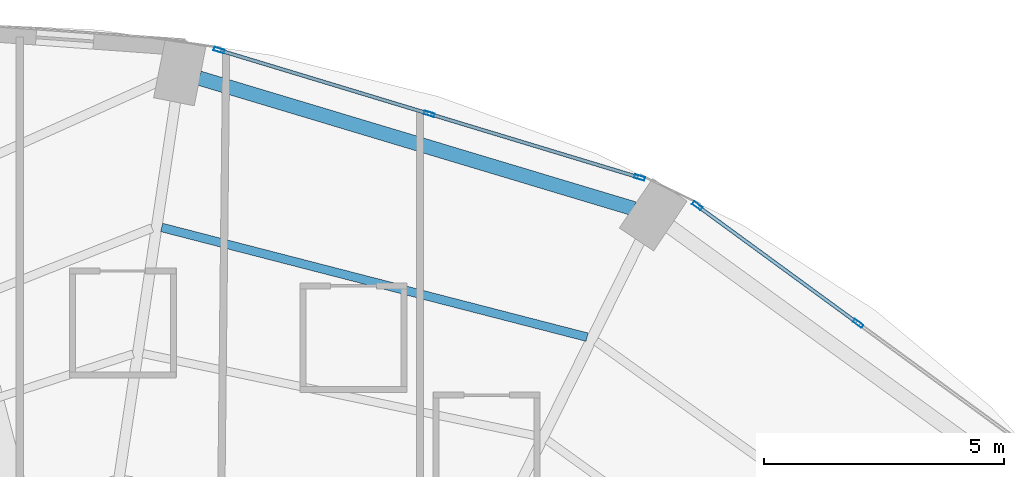
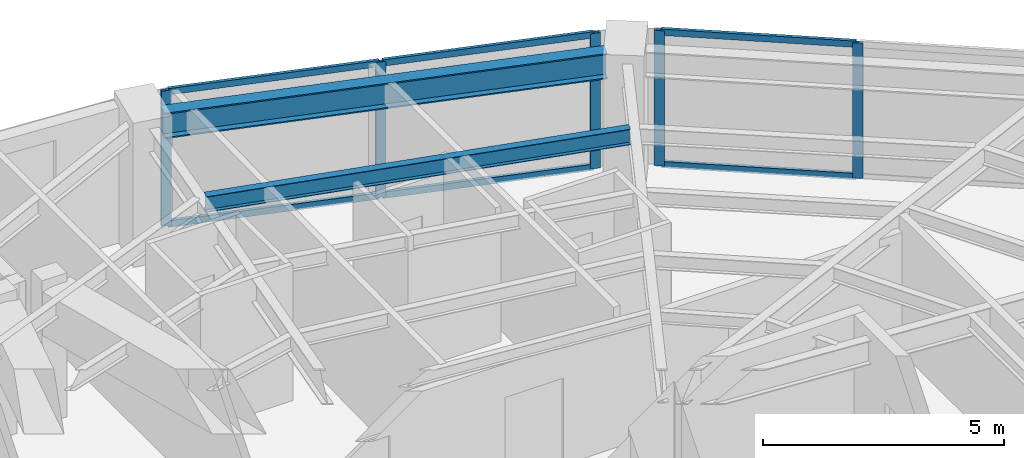
# One storey, part 17 of 25: 11 members, 2 beams, 2 elements without a shape of their own.
"""IFC4 building model written with IfcOpenShell, lengths in metres."""

from ifc_helpers import new_model, si_unit, direction, frame, origin, origin_2d, place, context, subcontext, project, spatial, hollow_rectangle, i_section, extrude, material, layer, layer_set, material_profile, profile_set, type_object, element, aggregate, save


model = new_model("IFC4")

# Units and contexts
model_context = context("Model", 3, precision=1e-05, world=origin(), true_north=direction((0.0, 1.0)))
body_context = subcontext(model_context, "Body", "Model", "MODEL_VIEW")
ifc_project = project(units=[si_unit("LENGTHUNIT", "METRE"), si_unit("AREAUNIT", "SQUARE_METRE"), si_unit("VOLUMEUNIT", "CUBIC_METRE"), si_unit("PLANEANGLEUNIT", "RADIAN"), si_unit("MASSUNIT", "GRAM", prefix="KILO")], contexts=[model_context])

# Site, building, storey
site_placement = place(None, origin())
site = spatial("IfcSite", under=ifc_project, at=site_placement, CompositionType="ELEMENT")
building_placement = place(site_placement, origin())
building = spatial("IfcBuilding", under=site, at=building_placement, Name="Lazwardi Medical Tower", CompositionType="ELEMENT")
storey_placement = place(building_placement, frame((0.0, 0.0, 32.49609375)))
storey = spatial("IfcBuildingStorey", under=building, at=storey_placement, Name="L07", CompositionType="ELEMENT", Elevation=32.49609375)

# Beams
ifc_material_1 = material(Name="Steel S355", Category="steel")
ifc_material_profile_1 = material_profile(ifc_material_1, i_section(OverallWidth=0.300048828125, OverallDepth=0.64990234375, WebThickness=0.01611328125, FlangeThickness=0.031005859375, at=origin_2d()), Name="HEB 650")
ifc_profile_set_1 = profile_set([ifc_material_profile_1], Name="Steel S355")
beam_type_1 = type_object("IfcBeamType", Name="BM-RB-Z1", PredefinedType="BEAM", material=ifc_profile_set_1)
beam_1_placement = place(storey_placement, frame((50.77880859375, 47.0048828125, 3.10302734375), z_axis=(-0.957695289269, 0.287784177662, 0.0), x_axis=(-0.287784177662, -0.957695289269, 0.0)))
element("IfcBeam", 1, at=beam_1_placement, inside=storey, type_object=beam_type_1, Name="Ring beam RB-02 B07 L07", PredefinedType="BEAM", context=body_context, shape_type="SweptSolid", body=[
    extrude(i_section(OverallWidth=0.300048828125, OverallDepth=0.64990234375, WebThickness=0.01611328125, FlangeThickness=0.031005859375, at=origin_2d()), origin(), (0.0, 0.0, 1.0), 9.445556640625),
])
ifc_material_profile_2 = material_profile(ifc_material_1, i_section(OverallWidth=0.179931640625, OverallDepth=0.39990234375, WebThickness=0.008544921875, FlangeThickness=0.013427734375, at=origin_2d()), Name="IPE 400")
ifc_profile_set_2 = profile_set([ifc_material_profile_2], Name="Steel S355")
beam_type_2 = type_object("IfcBeamType", Name="BM-SJ-01", PredefinedType="JOIST", material=ifc_profile_set_2)
beam_2_placement = place(storey_placement, frame((49.804931640625, 44.333251953125, 3.22802734375), z_axis=(-0.968316918308, 0.249724539682, 0.0), x_axis=(-0.249724539682, -0.968316918308, 0.0)))
element("IfcBeam", 2, at=beam_2_placement, inside=storey, type_object=beam_type_2, Name="Secondary joist SJ-01 R1 B07 L07", PredefinedType="JOIST", context=body_context, shape_type="SweptSolid", body=[
    extrude(i_section(OverallWidth=0.179931640625, OverallDepth=0.39990234375, WebThickness=0.008544921875, FlangeThickness=0.013427734375, at=origin_2d()), origin(), (0.0, 0.0, 1.0), 9.140869140625),
])

# Curtain wall, members
ifc_material_2 = material(Name="Anodised bronze aluminium and solar control glazing", Category="aluminium")
ifc_layer = layer(ifc_material_2, 0.199951171875)
ifc_layer_set = layer_set([ifc_layer], Name="Anodised bronze aluminium and solar control glazing")
curtain_wall_type = type_object("IfcCurtainWallType", Name="CW-SYS-02", PredefinedType="NOTDEFINED", material=ifc_layer_set)
curtain_wall_1_placement = place(storey_placement, origin())
curtain_wall_1 = element("IfcCurtainWall", 3, at=curtain_wall_1_placement, inside=storey, type_object=curtain_wall_type, Name="L07 Unitised bronze curtain wall CW-02", PredefinedType="NOTDEFINED")
ifc_material_3 = material(Name="Anodised bronze aluminium", Category="aluminium")
ifc_material_profile_3 = material_profile(ifc_material_3, hollow_rectangle(XDim=0.074951171875, YDim=0.219970703125, WallThickness=0.00390625, at=origin_2d()), Name="ALU-MULLION 220x75x4")
ifc_profile_set_3 = profile_set([ifc_material_profile_3], Name="Anodised bronze aluminium")
member_type_1 = type_object("IfcMemberType", Name="CW-MUL-01", PredefinedType="MULLION", material=ifc_profile_set_3)
member_1_placement = place(storey_placement, frame((55.4443359375, 44.619384765625, 0.0), z_axis=(0.0, 0.0, 1.0), x_axis=(-0.590289307341, -0.807191757663, 0.0)))
member_1 = element("IfcMember", 4, at=member_1_placement, type_object=member_type_1, Name="CW-02 mullion 2", PredefinedType="MULLION", context=body_context, shape_type="SweptSolid", body=[
    extrude(hollow_rectangle(XDim=0.074951171875, YDim=0.219970703125, WallThickness=0.00390625, at=origin_2d()), origin(), (0.0, 0.0, 1.0), 3.427978515625),
])
member_2_placement = place(storey_placement, frame((52.0986328125, 47.066162109375, 0.0), z_axis=(0.0, 0.0, 1.0), x_axis=(-0.590289307341, -0.807191757663, 0.0)))
member_2 = element("IfcMember", 5, at=member_2_placement, type_object=member_type_1, Name="CW-02 mullion 3", PredefinedType="MULLION", context=body_context, shape_type="SweptSolid", body=[
    extrude(hollow_rectangle(XDim=0.074951171875, YDim=0.219970703125, WallThickness=0.00390625, at=origin_2d()), origin(), (0.0, 0.0, 1.0), 3.427978515625),
])

curtain_wall_2_placement = place(storey_placement, origin())
curtain_wall_2 = element("IfcCurtainWall", 6, at=curtain_wall_2_placement, inside=storey, type_object=curtain_wall_type, Name="L07 Unitised bronze curtain wall CW-02", PredefinedType="NOTDEFINED")
member_3_placement = place(storey_placement, frame((50.8984375, 47.653076171875, 0.0), z_axis=(0.0, 0.0, 1.0), x_axis=(-0.2898956909, -0.957058247129, 0.0)))
member_3 = element("IfcMember", 7, at=member_3_placement, type_object=member_type_1, Name="CW-02 mullion 1", PredefinedType="MULLION", context=body_context, shape_type="SweptSolid", body=[
    extrude(hollow_rectangle(XDim=0.074951171875, YDim=0.219970703125, WallThickness=0.00390625, at=origin_2d()), origin(), (0.0, 0.0, 1.0), 3.427978515625),
])
member_4_placement = place(storey_placement, frame((46.523193359375, 48.978515625, 0.0), z_axis=(0.0, 0.0, 1.0), x_axis=(-0.2898956909, -0.957058247129, 0.0)))
member_4 = element("IfcMember", 8, at=member_4_placement, type_object=member_type_1, Name="CW-02 mullion 2", PredefinedType="MULLION", context=body_context, shape_type="SweptSolid", body=[
    extrude(hollow_rectangle(XDim=0.074951171875, YDim=0.219970703125, WallThickness=0.00390625, at=origin_2d()), origin(), (0.0, 0.0, 1.0), 3.427978515625),
])
member_5_placement = place(storey_placement, frame((42.14794921875, 50.3037109375, 0.0), z_axis=(0.0, 0.0, 1.0), x_axis=(-0.2898956909, -0.957058247129, 0.0)))
member_5 = element("IfcMember", 9, at=member_5_placement, type_object=member_type_1, Name="CW-02 mullion 3", PredefinedType="MULLION", context=body_context, shape_type="SweptSolid", body=[
    extrude(hollow_rectangle(XDim=0.074951171875, YDim=0.219970703125, WallThickness=0.00390625, at=origin_2d()), origin(), (0.0, 0.0, 1.0), 3.427978515625),
])

# Member
ifc_material_profile_4 = material_profile(ifc_material_3, hollow_rectangle(XDim=0.074951171875, YDim=0.159912109375, WallThickness=0.00390625, at=origin_2d()), Name="ALU-TRANSOM 160x75x4")
ifc_profile_set_4 = profile_set([ifc_material_profile_4], Name="Anodised bronze aluminium")
member_type_2 = type_object("IfcMemberType", Name="CW-TRN-01", PredefinedType="USERDEFINED", material=ifc_profile_set_4)
member_6_placement = place(storey_placement, frame((55.4140625, 44.641357421875, 0.037353515625), z_axis=(-0.807169053975, 0.590320352271, 0.0), x_axis=(-0.590320352271, -0.807169053975, 0.0)))
member_6 = element("IfcMember", 10, at=member_6_placement, type_object=member_type_2, Name="CW-02 transom 2.1", ObjectType="TRANSOM", PredefinedType="USERDEFINED", context=body_context, shape_type="SweptSolid", body=[
    extrude(hollow_rectangle(XDim=0.074951171875, YDim=0.159912109375, WallThickness=0.00390625, at=origin_2d()), origin(), (0.0, 0.0, 1.0), 4.070068359375),
])

member_7_placement = place(storey_placement, frame((55.4140625, 44.641357421875, 3.390380859375), z_axis=(-0.807169053975, 0.590320352271, 0.0), x_axis=(-0.590320352271, -0.807169053975, 0.0)))
member_7 = element("IfcMember", 11, at=member_7_placement, type_object=member_type_2, Name="CW-02 transom 2.2", ObjectType="TRANSOM", PredefinedType="USERDEFINED", context=body_context, shape_type="SweptSolid", body=[
    extrude(hollow_rectangle(XDim=0.074951171875, YDim=0.159912109375, WallThickness=0.00390625, at=origin_2d()), origin(), (0.0, 0.0, 1.0), 4.070068359375),
])

aggregate(curtain_wall_1, [member_1, member_2, member_6, member_7])

member_8_placement = place(storey_placement, frame((50.862548828125, 47.6640625, 0.037353515625), z_axis=(-0.957062297904, 0.289882317383, 0.0), x_axis=(-0.289882317383, -0.957062297904, 0.0)))
member_8 = element("IfcMember", 12, at=member_8_placement, type_object=member_type_2, Name="CW-02 transom 1.1", ObjectType="TRANSOM", PredefinedType="USERDEFINED", context=body_context, shape_type="SweptSolid", body=[
    extrude(hollow_rectangle(XDim=0.074951171875, YDim=0.159912109375, WallThickness=0.00390625, at=origin_2d()), origin(), (0.0, 0.0, 1.0), 4.49658203125),
])

member_9_placement = place(storey_placement, frame((50.862548828125, 47.6640625, 3.390380859375), z_axis=(-0.957062297904, 0.289882317383, 0.0), x_axis=(-0.289882317383, -0.957062297904, 0.0)))
member_9 = element("IfcMember", 13, at=member_9_placement, type_object=member_type_2, Name="CW-02 transom 1.2", ObjectType="TRANSOM", PredefinedType="USERDEFINED", context=body_context, shape_type="SweptSolid", body=[
    extrude(hollow_rectangle(XDim=0.074951171875, YDim=0.159912109375, WallThickness=0.00390625, at=origin_2d()), origin(), (0.0, 0.0, 1.0), 4.49658203125),
])

member_10_placement = place(storey_placement, frame((46.4873046875, 48.9892578125, 0.037353515625), z_axis=(-0.957047233423, 0.28993204893, 0.0), x_axis=(-0.28993204893, -0.957047233423, 0.0)))
member_10 = element("IfcMember", 14, at=member_10_placement, type_object=member_type_2, Name="CW-02 transom 2.1", ObjectType="TRANSOM", PredefinedType="USERDEFINED", context=body_context, shape_type="SweptSolid", body=[
    extrude(hollow_rectangle(XDim=0.074951171875, YDim=0.159912109375, WallThickness=0.00390625, at=origin_2d()), origin(), (0.0, 0.0, 1.0), 4.49658203125),
])

member_11_placement = place(storey_placement, frame((46.4873046875, 48.9892578125, 3.390380859375), z_axis=(-0.957047233423, 0.28993204893, 0.0), x_axis=(-0.28993204893, -0.957047233423, 0.0)))
member_11 = element("IfcMember", 15, at=member_11_placement, type_object=member_type_2, Name="CW-02 transom 2.2", ObjectType="TRANSOM", PredefinedType="USERDEFINED", context=body_context, shape_type="SweptSolid", body=[
    extrude(hollow_rectangle(XDim=0.074951171875, YDim=0.159912109375, WallThickness=0.00390625, at=origin_2d()), origin(), (0.0, 0.0, 1.0), 4.49658203125),
])

aggregate(curtain_wall_2, [member_3, member_4, member_5, member_8, member_9, member_10, member_11])

save(model, "model.ifc")
